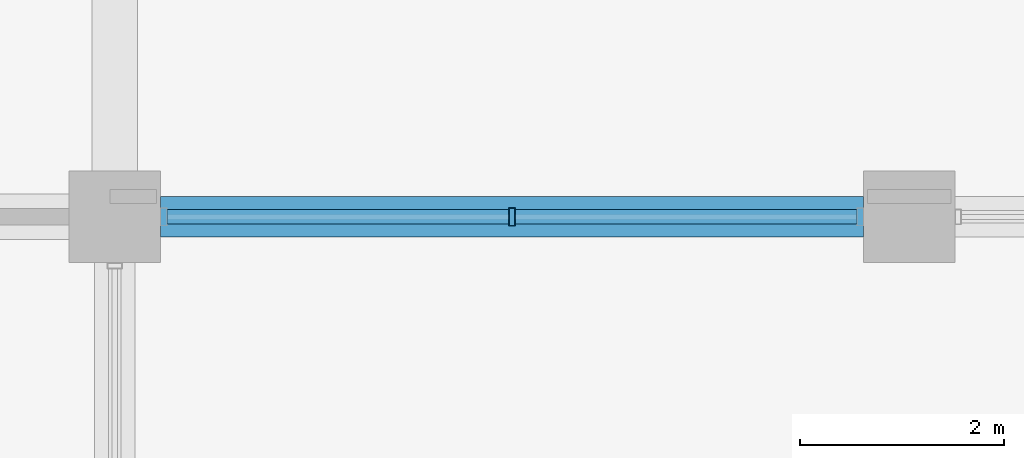
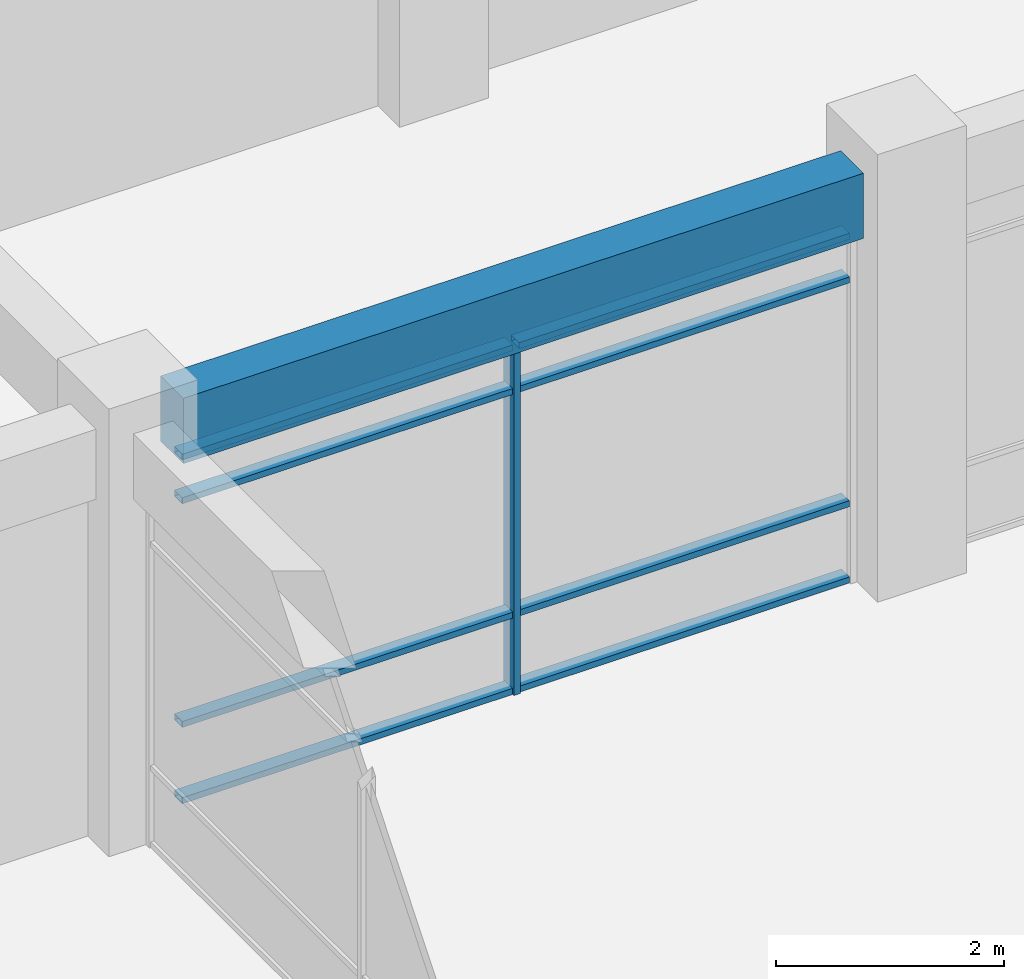
# One storey, part 23 of 74: 9 members, 1 beam, 1 element without a shape of its own.
"""IFC4 building model written with IfcOpenShell, lengths in metres."""

from ifc_helpers import new_model, si_unit, direction, frame, origin, origin_2d, place, context, subcontext, project, spatial, rectangle, hollow_rectangle, extrude, material, material_profile, profile_set, type_object, element, aggregate, save


model = new_model("IFC4")

# Units and contexts
model_context = context("Model", 3, precision=1e-05, world=origin(), true_north=direction((0.0, 1.0)))
body_context = subcontext(model_context, "Body", "Model", "MODEL_VIEW")
ifc_project = project(units=[si_unit("LENGTHUNIT", "METRE"), si_unit("AREAUNIT", "SQUARE_METRE"), si_unit("VOLUMEUNIT", "CUBIC_METRE"), si_unit("PLANEANGLEUNIT", "RADIAN"), si_unit("MASSUNIT", "GRAM", prefix="KILO"), si_unit("THERMODYNAMICTEMPERATUREUNIT", "KELVIN"), si_unit("POWERUNIT", "WATT")], contexts=[model_context])

# Site, building, storey
site_placement = place(None, origin())
site = spatial("IfcSite", under=ifc_project, at=site_placement, CompositionType="ELEMENT")
building_placement = place(site_placement, origin())
building = spatial("IfcBuilding", under=site, at=building_placement, Name="Srebrne Nadtorze General Hospital", CompositionType="ELEMENT")
storey_placement = place(building_placement, origin())
storey = spatial("IfcBuildingStorey", under=building, at=storey_placement, Name="L00", CompositionType="ELEMENT", Elevation=0.0)

# Curtain wall, members
ifc_material_1 = material(Name="Anodised Aluminium", Category="aluminium")
curtain_wall_type = type_object("IfcCurtainWallType", Name="Unitised curtain wall 6900x3750", PredefinedType="NOTDEFINED", material=ifc_material_1)
curtain_wall_placement = place(storey_placement, origin())
curtain_wall = element("IfcCurtainWall", 1, at=curtain_wall_placement, inside=storey, type_object=curtain_wall_type, Name="Curtain wall CW-011", PredefinedType="NOTDEFINED")
ifc_material_2 = material(Name="Anodised Aluminium", Category="aluminium")
ifc_material_profile_1 = material_profile(ifc_material_2, hollow_rectangle(XDim=0.06494140625, YDim=0.179931640625, WallThickness=0.00390625, at=origin_2d()), Name="AL-MUL-65x180")
ifc_profile_set_1 = profile_set([ifc_material_profile_1], Name="Anodised Aluminium")
member_type_1 = type_object("IfcMemberType", Name="Curtain mullion 65x180", PredefinedType="MULLION", material=ifc_profile_set_1)
member_1_placement = place(storey_placement, frame((120.89990234375, 25.199951171875, 0.0), z_axis=(0.0, 0.0, 1.0), x_axis=(1.0, 0.0, 0.0)))
member_1 = element("IfcMember", 2, at=member_1_placement, type_object=member_type_1, Name="CW-011 mullion 2", PredefinedType="MULLION", context=body_context, shape_type="SweptSolid", body=[
    extrude(hollow_rectangle(XDim=0.06494140625, YDim=0.179931640625, WallThickness=0.00390625, at=origin_2d()), origin(), (0.0, 0.0, 1.0), 3.75),
])
ifc_material_3 = material(Name="Anodised Aluminium", Category="aluminium")
ifc_material_profile_2 = material_profile(ifc_material_3, hollow_rectangle(XDim=0.06494140625, YDim=0.139892578125, WallThickness=0.00390625, at=origin_2d()), Name="AL-TRN-65x140")
ifc_profile_set_2 = profile_set([ifc_material_profile_2], Name="Anodised Aluminium")
member_type_2 = type_object("IfcMemberType", Name="Curtain transom 65x140", PredefinedType="USERDEFINED", material=ifc_profile_set_2)
member_2_placement = place(storey_placement, frame((117.514892578125, 25.199951171875, 0.032470703125), z_axis=(1.0, 0.0, 0.0), x_axis=(0.0, 0.0, 1.0)))
member_2 = element("IfcMember", 3, at=member_2_placement, type_object=member_type_2, Name="CW-011 transom 1.1", ObjectType="TRANSOM", PredefinedType="USERDEFINED", context=body_context, shape_type="SweptSolid", body=[
    extrude(hollow_rectangle(XDim=0.06494140625, YDim=0.139892578125, WallThickness=0.00390625, at=origin_2d()), origin(), (0.0, 0.0, 1.0), 3.3525390625),
])
member_3_placement = place(storey_placement, frame((117.514892578125, 25.199951171875, 0.85009765625), z_axis=(1.0, 0.0, 0.0), x_axis=(0.0, 0.0, 1.0)))
member_3 = element("IfcMember", 4, at=member_3_placement, type_object=member_type_2, Name="CW-011 transom 1.2", ObjectType="TRANSOM", PredefinedType="USERDEFINED", context=body_context, shape_type="SweptSolid", body=[
    extrude(hollow_rectangle(XDim=0.06494140625, YDim=0.139892578125, WallThickness=0.00390625, at=origin_2d()), origin(), (0.0, 0.0, 1.0), 3.3525390625),
])
member_4_placement = place(storey_placement, frame((117.514892578125, 25.199951171875, 3.25), z_axis=(1.0, 0.0, 0.0), x_axis=(0.0, 0.0, 1.0)))
member_4 = element("IfcMember", 5, at=member_4_placement, type_object=member_type_2, Name="CW-011 transom 1.3", ObjectType="TRANSOM", PredefinedType="USERDEFINED", context=body_context, shape_type="SweptSolid", body=[
    extrude(hollow_rectangle(XDim=0.06494140625, YDim=0.139892578125, WallThickness=0.00390625, at=origin_2d()), origin(), (0.0, 0.0, 1.0), 3.3525390625),
])
member_5_placement = place(storey_placement, frame((117.514892578125, 25.199951171875, 3.717529296875), z_axis=(1.0, 0.0, 0.0), x_axis=(0.0, 0.0, 1.0)))
member_5 = element("IfcMember", 6, at=member_5_placement, type_object=member_type_2, Name="CW-011 transom 1.4", ObjectType="TRANSOM", PredefinedType="USERDEFINED", context=body_context, shape_type="SweptSolid", body=[
    extrude(hollow_rectangle(XDim=0.06494140625, YDim=0.139892578125, WallThickness=0.00390625, at=origin_2d()), origin(), (0.0, 0.0, 1.0), 3.3525390625),
])
member_6_placement = place(storey_placement, frame((120.9326171875, 25.199951171875, 0.032470703125), z_axis=(1.0, 0.0, 0.0), x_axis=(0.0, 0.0, 1.0)))
member_6 = element("IfcMember", 7, at=member_6_placement, type_object=member_type_2, Name="CW-011 transom 2.1", ObjectType="TRANSOM", PredefinedType="USERDEFINED", context=body_context, shape_type="SweptSolid", body=[
    extrude(hollow_rectangle(XDim=0.06494140625, YDim=0.139892578125, WallThickness=0.00390625, at=origin_2d()), origin(), (0.0, 0.0, 1.0), 3.352294921875),
])
member_7_placement = place(storey_placement, frame((120.9326171875, 25.199951171875, 0.85009765625), z_axis=(1.0, 0.0, 0.0), x_axis=(0.0, 0.0, 1.0)))
member_7 = element("IfcMember", 8, at=member_7_placement, type_object=member_type_2, Name="CW-011 transom 2.2", ObjectType="TRANSOM", PredefinedType="USERDEFINED", context=body_context, shape_type="SweptSolid", body=[
    extrude(hollow_rectangle(XDim=0.06494140625, YDim=0.139892578125, WallThickness=0.00390625, at=origin_2d()), origin(), (0.0, 0.0, 1.0), 3.352294921875),
])
member_8_placement = place(storey_placement, frame((120.9326171875, 25.199951171875, 3.25), z_axis=(1.0, 0.0, 0.0), x_axis=(0.0, 0.0, 1.0)))
member_8 = element("IfcMember", 9, at=member_8_placement, type_object=member_type_2, Name="CW-011 transom 2.3", ObjectType="TRANSOM", PredefinedType="USERDEFINED", context=body_context, shape_type="SweptSolid", body=[
    extrude(hollow_rectangle(XDim=0.06494140625, YDim=0.139892578125, WallThickness=0.00390625, at=origin_2d()), origin(), (0.0, 0.0, 1.0), 3.352294921875),
])
member_9_placement = place(storey_placement, frame((120.9326171875, 25.199951171875, 3.717529296875), z_axis=(1.0, 0.0, 0.0), x_axis=(0.0, 0.0, 1.0)))
member_9 = element("IfcMember", 10, at=member_9_placement, type_object=member_type_2, Name="CW-011 transom 2.4", ObjectType="TRANSOM", PredefinedType="USERDEFINED", context=body_context, shape_type="SweptSolid", body=[
    extrude(hollow_rectangle(XDim=0.06494140625, YDim=0.139892578125, WallThickness=0.00390625, at=origin_2d()), origin(), (0.0, 0.0, 1.0), 3.352294921875),
])
aggregate(curtain_wall, [member_1, member_2, member_3, member_4, member_5, member_6, member_7, member_8, member_9])

# Beam
ifc_material_4 = material(Name="Concrete C40/50", Category="concrete")
ifc_material_profile_3 = material_profile(ifc_material_4, rectangle(XDim=0.39990234375, YDim=0.699951171875, at=origin_2d()), Name="RC-BM-400x700")
ifc_profile_set_3 = profile_set([ifc_material_profile_3], Name="Concrete C40/50")
beam_type = type_object("IfcBeamType", Name="Edge beam RC 400x700", PredefinedType="BEAM", material=ifc_profile_set_3)
beam_placement = place(storey_placement, frame((117.449951171875, 25.199951171875, 4.10009765625), z_axis=(1.0, 0.0, 0.0), x_axis=(0.0, 1.0, 0.0)))
element("IfcBeam", 11, at=beam_placement, inside=storey, type_object=beam_type, Name="Beam BM-L00-X-0211", PredefinedType="BEAM", context=body_context, shape_type="SweptSolid", body=[
    extrude(rectangle(XDim=0.39990234375, YDim=0.699951171875, at=origin_2d()), origin(), (0.0, 0.0, 1.0), 6.900146484375),
])

save(model, "model.ifc")
